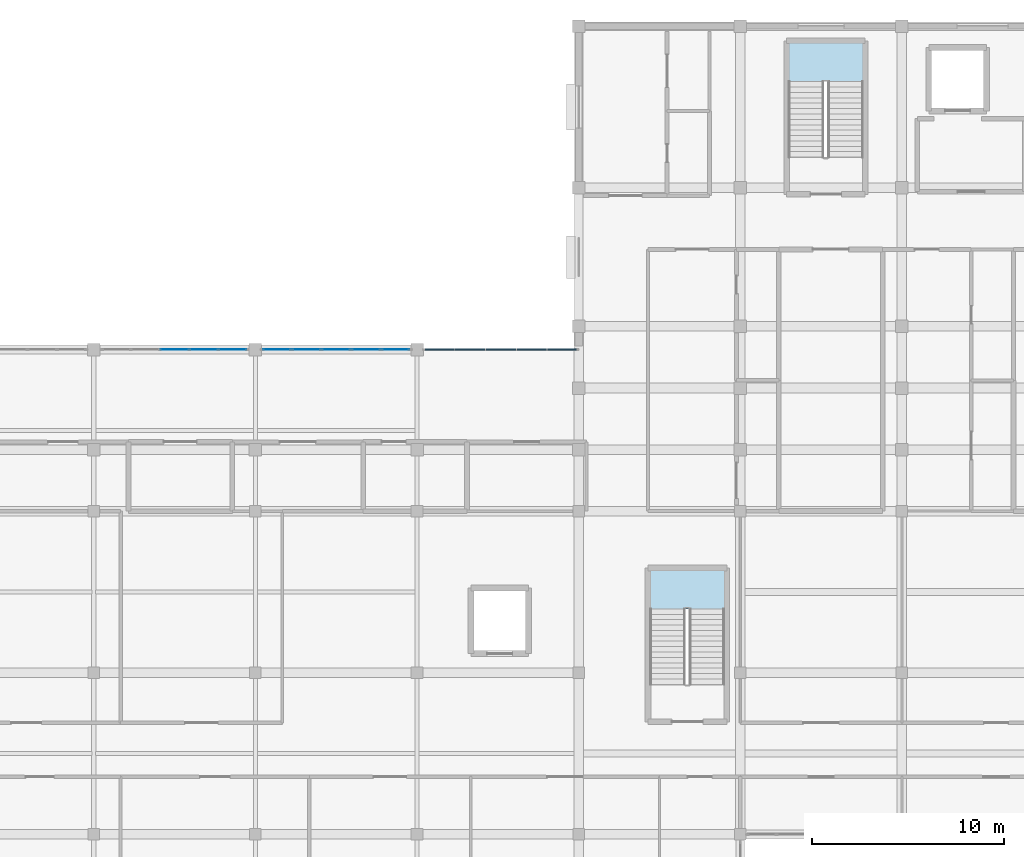
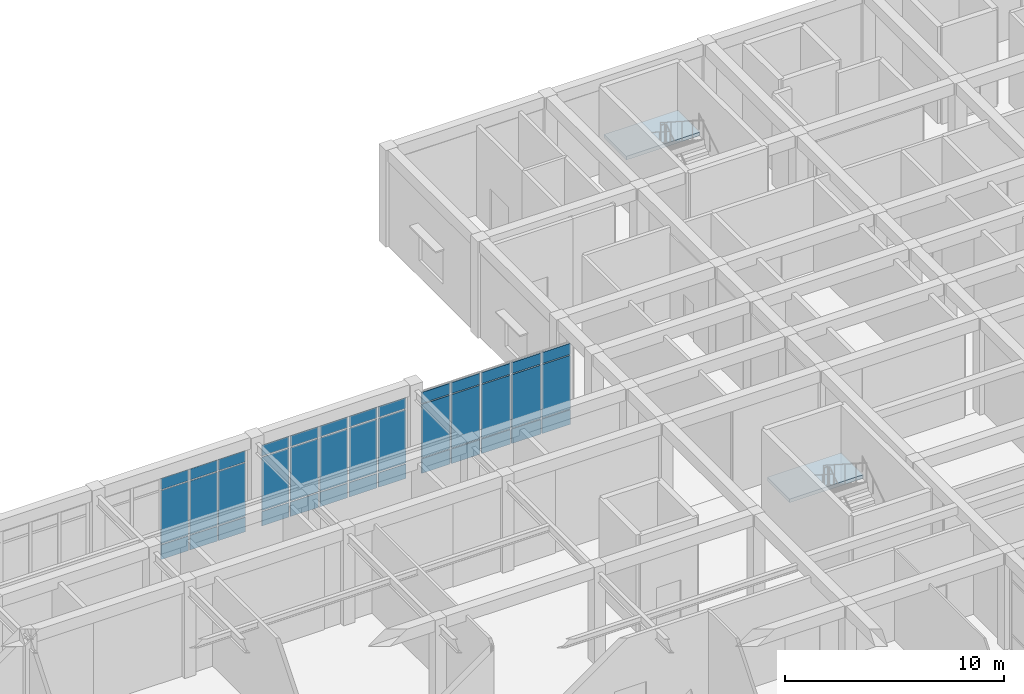
# One storey, part 48 of 89: 39 plates, 2 slabs, 5 elements without a shape of their own.
"""IFC4 building model written with IfcOpenShell, lengths in metres."""

from ifc_helpers import new_model, si_unit, direction, frame, origin, origin_2d, place, context, subcontext, project, spatial, polyline, rectangle, outline, extrude, material, layer, layer_set, type_object, element, aggregate, save


model = new_model("IFC4")

# Units and contexts
model_context = context("Model", 3, precision=1e-05, world=origin(), true_north=direction((0.0, 1.0)))
body_context = subcontext(model_context, "Body", "Model", "MODEL_VIEW")
ifc_project = project(units=[si_unit("LENGTHUNIT", "METRE"), si_unit("AREAUNIT", "SQUARE_METRE"), si_unit("VOLUMEUNIT", "CUBIC_METRE"), si_unit("PLANEANGLEUNIT", "RADIAN"), si_unit("MASSUNIT", "GRAM", prefix="KILO")], contexts=[model_context])

# Site, building, storey
site_placement = place(None, origin())
site = spatial("IfcSite", under=ifc_project, at=site_placement, CompositionType="ELEMENT")
building_placement = place(site_placement, origin())
building = spatial("IfcBuilding", under=site, at=building_placement, Name="Varncliffe General Hospital", CompositionType="ELEMENT")
storey_placement = place(building_placement, frame((0.0, 0.0, 10.800048828125)))
storey = spatial("IfcBuildingStorey", under=building, at=storey_placement, Name="L02", CompositionType="ELEMENT", Elevation=10.800048828125)

# Curtain wall, plates
ifc_material_1 = material(Name="Triple low-E argon insulated vision glazing", Category="glass")
curtain_wall_type_1 = type_object("IfcCurtainWallType", Name="Unitised Glazed Curtain Wall CW26 (7594x4640)", PredefinedType="USERDEFINED", material=ifc_material_1)
curtain_wall_1_placement = place(storey_placement, origin())
curtain_wall_1 = element("IfcCurtainWall", 1, at=curtain_wall_1_placement, inside=storey, type_object=curtain_wall_type_1, Name="L02 Glazed Curtain Wall CW26-113", ObjectType="GLAZED CURTAIN WALL", PredefinedType="USERDEFINED")
ifc_layer_1 = layer(ifc_material_1, 0.0439453125)
ifc_layer_set_1 = layer_set([ifc_layer_1], Name="Triple low-E argon insulated vision glazing")
plate_type_1 = type_object("IfcPlateType", Name="Curtain Wall Glazing Panel CP12 (44mm)", PredefinedType="CURTAIN_PANEL", material=ifc_layer_set_1)
plate_1_placement = place(storey_placement, frame((88.199951171875, 108.0, 0.059814453125), z_axis=(0.0, 0.0, 1.0), x_axis=(1.0, 0.0, 0.0)))
plate_1 = element("IfcPlate", 2, at=plate_1_placement, type_object=plate_type_1, Name="CW26 panel 3.1", PredefinedType="CURTAIN_PANEL", context=body_context, shape_type="SweptSolid", body=[
    extrude(rectangle(XDim=1.453857421875, YDim=0.0439453125, at=origin_2d()), origin(), (0.0, 0.0, 1.0), 0.81005859375),
])
plate_2_placement = place(storey_placement, frame((88.199951171875, 108.0, 0.929931640625), z_axis=(0.0, 0.0, 1.0), x_axis=(1.0, 0.0, 0.0)))
plate_2 = element("IfcPlate", 3, at=plate_2_placement, type_object=plate_type_1, Name="CW26 panel 3.2", PredefinedType="CURTAIN_PANEL", context=body_context, shape_type="SweptSolid", body=[
    extrude(rectangle(XDim=1.453857421875, YDim=0.0439453125, at=origin_2d()), origin(), (0.0, 0.0, 1.0), 2.97998046875),
])
plate_3_placement = place(storey_placement, frame((88.199951171875, 108.0, 3.9697265625), z_axis=(0.0, 0.0, 1.0), x_axis=(1.0, 0.0, 0.0)))
plate_3 = element("IfcPlate", 4, at=plate_3_placement, type_object=plate_type_1, Name="CW26 panel 3.3", PredefinedType="CURTAIN_PANEL", context=body_context, shape_type="SweptSolid", body=[
    extrude(rectangle(XDim=1.453857421875, YDim=0.0439453125, at=origin_2d()), origin(), (0.0, 0.0, 1.0), 0.610107421875),
])
plate_4_placement = place(storey_placement, frame((89.71875, 108.0, 0.059814453125), z_axis=(0.0, 0.0, 1.0), x_axis=(1.0, 0.0, 0.0)))
plate_4 = element("IfcPlate", 5, at=plate_4_placement, type_object=plate_type_1, Name="CW26 panel 4.1", PredefinedType="CURTAIN_PANEL", context=body_context, shape_type="SweptSolid", body=[
    extrude(rectangle(XDim=1.453857421875, YDim=0.0439453125, at=origin_2d()), origin(), (0.0, 0.0, 1.0), 0.81005859375),
])
plate_5_placement = place(storey_placement, frame((89.71875, 108.0, 0.929931640625), z_axis=(0.0, 0.0, 1.0), x_axis=(1.0, 0.0, 0.0)))
plate_5 = element("IfcPlate", 6, at=plate_5_placement, type_object=plate_type_1, Name="CW26 panel 4.2", PredefinedType="CURTAIN_PANEL", context=body_context, shape_type="SweptSolid", body=[
    extrude(rectangle(XDim=1.453857421875, YDim=0.0439453125, at=origin_2d()), origin(), (0.0, 0.0, 1.0), 2.97998046875),
])
plate_6_placement = place(storey_placement, frame((89.71875, 108.0, 3.9697265625), z_axis=(0.0, 0.0, 1.0), x_axis=(1.0, 0.0, 0.0)))
plate_6 = element("IfcPlate", 7, at=plate_6_placement, type_object=plate_type_1, Name="CW26 panel 4.3", PredefinedType="CURTAIN_PANEL", context=body_context, shape_type="SweptSolid", body=[
    extrude(rectangle(XDim=1.453857421875, YDim=0.0439453125, at=origin_2d()), origin(), (0.0, 0.0, 1.0), 0.610107421875),
])
plate_7_placement = place(storey_placement, frame((91.221435546875, 108.0, 0.059814453125), z_axis=(0.0, 0.0, 1.0), x_axis=(1.0, 0.0, 0.0)))
plate_7 = element("IfcPlate", 8, at=plate_7_placement, type_object=plate_type_1, Name="CW26 panel 5.1", PredefinedType="CURTAIN_PANEL", context=body_context, shape_type="SweptSolid", body=[
    extrude(rectangle(XDim=1.42138671875, YDim=0.0439453125, at=origin_2d()), origin(), (0.0, 0.0, 1.0), 0.81005859375),
])
plate_8_placement = place(storey_placement, frame((91.221435546875, 108.0, 0.929931640625), z_axis=(0.0, 0.0, 1.0), x_axis=(1.0, 0.0, 0.0)))
plate_8 = element("IfcPlate", 9, at=plate_8_placement, type_object=plate_type_1, Name="CW26 panel 5.2", PredefinedType="CURTAIN_PANEL", context=body_context, shape_type="SweptSolid", body=[
    extrude(rectangle(XDim=1.42138671875, YDim=0.0439453125, at=origin_2d()), origin(), (0.0, 0.0, 1.0), 2.97998046875),
])
plate_9_placement = place(storey_placement, frame((91.221435546875, 108.0, 3.9697265625), z_axis=(0.0, 0.0, 1.0), x_axis=(1.0, 0.0, 0.0)))
plate_9 = element("IfcPlate", 10, at=plate_9_placement, type_object=plate_type_1, Name="CW26 panel 5.3", PredefinedType="CURTAIN_PANEL", context=body_context, shape_type="SweptSolid", body=[
    extrude(rectangle(XDim=1.42138671875, YDim=0.0439453125, at=origin_2d()), origin(), (0.0, 0.0, 1.0), 0.610107421875),
])
aggregate(curtain_wall_1, [plate_1, plate_2, plate_3, plate_4, plate_5, plate_6, plate_7, plate_8, plate_9])

curtain_wall_type_2 = type_object("IfcCurtainWallType", Name="Unitised Glazed Curtain Wall CW65 (7997x4640)", PredefinedType="USERDEFINED", material=ifc_material_1)
curtain_wall_2_placement = place(storey_placement, origin())
curtain_wall_2 = element("IfcCurtainWall", 11, at=curtain_wall_2_placement, inside=storey, type_object=curtain_wall_type_2, Name="L02 Glazed Curtain Wall CW65-115", ObjectType="GLAZED CURTAIN WALL", PredefinedType="USERDEFINED")
ifc_material_2 = material(Name="Insulated ceramic-fritted spandrel glazing panel", Category="glass")
ifc_layer_2 = layer(ifc_material_2, 0.06396484375)
ifc_layer_set_2 = layer_set([ifc_layer_2], Name="Insulated ceramic-fritted spandrel glazing panel")
plate_type_2 = type_object("IfcPlateType", Name="Curtain Wall Glazing Panel CP41 (64mm)", PredefinedType="CURTAIN_PANEL", material=ifc_layer_set_2)
plate_10_placement = place(storey_placement, frame((101.9814453125, 108.0, 0.059814453125), z_axis=(0.0, 0.0, 1.0), x_axis=(1.0, 0.0, 0.0)))
plate_10 = element("IfcPlate", 12, at=plate_10_placement, type_object=plate_type_2, Name="CW65 panel 1.1", PredefinedType="CURTAIN_PANEL", context=body_context, shape_type="SweptSolid", body=[
    extrude(rectangle(XDim=1.48681640625, YDim=0.06396484375, at=origin_2d()), origin(), (0.0, 0.0, 1.0), 0.81005859375),
])
plate_11_placement = place(storey_placement, frame((101.9814453125, 108.0, 0.929931640625), z_axis=(0.0, 0.0, 1.0), x_axis=(1.0, 0.0, 0.0)))
plate_11 = element("IfcPlate", 13, at=plate_11_placement, type_object=plate_type_2, Name="CW65 panel 1.2", PredefinedType="CURTAIN_PANEL", context=body_context, shape_type="SweptSolid", body=[
    extrude(rectangle(XDim=1.48681640625, YDim=0.06396484375, at=origin_2d()), origin(), (0.0, 0.0, 1.0), 2.97998046875),
])
plate_12_placement = place(storey_placement, frame((101.9814453125, 108.0, 3.9697265625), z_axis=(0.0, 0.0, 1.0), x_axis=(1.0, 0.0, 0.0)))
plate_12 = element("IfcPlate", 14, at=plate_12_placement, type_object=plate_type_2, Name="CW65 panel 1.3", PredefinedType="CURTAIN_PANEL", context=body_context, shape_type="SweptSolid", body=[
    extrude(rectangle(XDim=1.48681640625, YDim=0.06396484375, at=origin_2d()), origin(), (0.0, 0.0, 1.0), 0.610107421875),
])
plate_13_placement = place(storey_placement, frame((103.56201171875, 108.0, 0.059814453125), z_axis=(0.0, 0.0, 1.0), x_axis=(1.0, 0.0, 0.0)))
plate_13 = element("IfcPlate", 15, at=plate_13_placement, type_object=plate_type_2, Name="CW65 panel 2.1", PredefinedType="CURTAIN_PANEL", context=body_context, shape_type="SweptSolid", body=[
    extrude(rectangle(XDim=1.5244140625, YDim=0.06396484375, at=origin_2d()), origin(), (0.0, 0.0, 1.0), 0.81005859375),
])
plate_14_placement = place(storey_placement, frame((103.56201171875, 108.0, 0.929931640625), z_axis=(0.0, 0.0, 1.0), x_axis=(1.0, 0.0, 0.0)))
plate_14 = element("IfcPlate", 16, at=plate_14_placement, type_object=plate_type_2, Name="CW65 panel 2.2", PredefinedType="CURTAIN_PANEL", context=body_context, shape_type="SweptSolid", body=[
    extrude(rectangle(XDim=1.5244140625, YDim=0.06396484375, at=origin_2d()), origin(), (0.0, 0.0, 1.0), 2.97998046875),
])
plate_15_placement = place(storey_placement, frame((103.56201171875, 108.0, 3.9697265625), z_axis=(0.0, 0.0, 1.0), x_axis=(1.0, 0.0, 0.0)))
plate_15 = element("IfcPlate", 17, at=plate_15_placement, type_object=plate_type_2, Name="CW65 panel 2.3", PredefinedType="CURTAIN_PANEL", context=body_context, shape_type="SweptSolid", body=[
    extrude(rectangle(XDim=1.5244140625, YDim=0.06396484375, at=origin_2d()), origin(), (0.0, 0.0, 1.0), 0.610107421875),
])
plate_16_placement = place(storey_placement, frame((105.16162109375, 108.0, 0.059814453125), z_axis=(0.0, 0.0, 1.0), x_axis=(1.0, 0.0, 0.0)))
plate_16 = element("IfcPlate", 18, at=plate_16_placement, type_object=plate_type_2, Name="CW65 panel 3.1", PredefinedType="CURTAIN_PANEL", context=body_context, shape_type="SweptSolid", body=[
    extrude(rectangle(XDim=1.5244140625, YDim=0.06396484375, at=origin_2d()), origin(), (0.0, 0.0, 1.0), 0.81005859375),
])
plate_17_placement = place(storey_placement, frame((105.16162109375, 108.0, 0.929931640625), z_axis=(0.0, 0.0, 1.0), x_axis=(1.0, 0.0, 0.0)))
plate_17 = element("IfcPlate", 19, at=plate_17_placement, type_object=plate_type_2, Name="CW65 panel 3.2", PredefinedType="CURTAIN_PANEL", context=body_context, shape_type="SweptSolid", body=[
    extrude(rectangle(XDim=1.5244140625, YDim=0.06396484375, at=origin_2d()), origin(), (0.0, 0.0, 1.0), 2.97998046875),
])
plate_18_placement = place(storey_placement, frame((105.16162109375, 108.0, 3.9697265625), z_axis=(0.0, 0.0, 1.0), x_axis=(1.0, 0.0, 0.0)))
plate_18 = element("IfcPlate", 20, at=plate_18_placement, type_object=plate_type_2, Name="CW65 panel 3.3", PredefinedType="CURTAIN_PANEL", context=body_context, shape_type="SweptSolid", body=[
    extrude(rectangle(XDim=1.5244140625, YDim=0.06396484375, at=origin_2d()), origin(), (0.0, 0.0, 1.0), 0.610107421875),
])
plate_19_placement = place(storey_placement, frame((106.760986328125, 108.0, 0.059814453125), z_axis=(0.0, 0.0, 1.0), x_axis=(1.0, 0.0, 0.0)))
plate_19 = element("IfcPlate", 21, at=plate_19_placement, type_object=plate_type_2, Name="CW65 panel 4.1", PredefinedType="CURTAIN_PANEL", context=body_context, shape_type="SweptSolid", body=[
    extrude(rectangle(XDim=1.5244140625, YDim=0.06396484375, at=origin_2d()), origin(), (0.0, 0.0, 1.0), 0.81005859375),
])
plate_20_placement = place(storey_placement, frame((106.760986328125, 108.0, 0.929931640625), z_axis=(0.0, 0.0, 1.0), x_axis=(1.0, 0.0, 0.0)))
plate_20 = element("IfcPlate", 22, at=plate_20_placement, type_object=plate_type_2, Name="CW65 panel 4.2", PredefinedType="CURTAIN_PANEL", context=body_context, shape_type="SweptSolid", body=[
    extrude(rectangle(XDim=1.5244140625, YDim=0.06396484375, at=origin_2d()), origin(), (0.0, 0.0, 1.0), 2.97998046875),
])
plate_21_placement = place(storey_placement, frame((106.760986328125, 108.0, 3.9697265625), z_axis=(0.0, 0.0, 1.0), x_axis=(1.0, 0.0, 0.0)))
plate_21 = element("IfcPlate", 23, at=plate_21_placement, type_object=plate_type_2, Name="CW65 panel 4.3", PredefinedType="CURTAIN_PANEL", context=body_context, shape_type="SweptSolid", body=[
    extrude(rectangle(XDim=1.5244140625, YDim=0.06396484375, at=origin_2d()), origin(), (0.0, 0.0, 1.0), 0.610107421875),
])
plate_22_placement = place(storey_placement, frame((108.341552734375, 108.0, 0.059814453125), z_axis=(0.0, 0.0, 1.0), x_axis=(1.0, 0.0, 0.0)))
plate_22 = element("IfcPlate", 24, at=plate_22_placement, type_object=plate_type_2, Name="CW65 panel 5.1", PredefinedType="CURTAIN_PANEL", context=body_context, shape_type="SweptSolid", body=[
    extrude(rectangle(XDim=1.48681640625, YDim=0.06396484375, at=origin_2d()), origin(), (0.0, 0.0, 1.0), 0.81005859375),
])
plate_23_placement = place(storey_placement, frame((108.341552734375, 108.0, 0.929931640625), z_axis=(0.0, 0.0, 1.0), x_axis=(1.0, 0.0, 0.0)))
plate_23 = element("IfcPlate", 25, at=plate_23_placement, type_object=plate_type_2, Name="CW65 panel 5.2", PredefinedType="CURTAIN_PANEL", context=body_context, shape_type="SweptSolid", body=[
    extrude(rectangle(XDim=1.48681640625, YDim=0.06396484375, at=origin_2d()), origin(), (0.0, 0.0, 1.0), 2.97998046875),
])
plate_24_placement = place(storey_placement, frame((108.341552734375, 108.0, 3.9697265625), z_axis=(0.0, 0.0, 1.0), x_axis=(1.0, 0.0, 0.0)))
plate_24 = element("IfcPlate", 26, at=plate_24_placement, type_object=plate_type_2, Name="CW65 panel 5.3", PredefinedType="CURTAIN_PANEL", context=body_context, shape_type="SweptSolid", body=[
    extrude(rectangle(XDim=1.48681640625, YDim=0.06396484375, at=origin_2d()), origin(), (0.0, 0.0, 1.0), 0.610107421875),
])
aggregate(curtain_wall_2, [plate_10, plate_11, plate_12, plate_13, plate_14, plate_15, plate_16, plate_17, plate_18, plate_19, plate_20, plate_21, plate_22, plate_23, plate_24])

curtain_wall_type_3 = type_object("IfcCurtainWallType", Name="Unitised Glazed Curtain Wall CW66 (7754x4640)", PredefinedType="USERDEFINED", material=ifc_material_1)
curtain_wall_3_placement = place(storey_placement, origin())
curtain_wall_3 = element("IfcCurtainWall", 27, at=curtain_wall_3_placement, inside=storey, type_object=curtain_wall_type_3, Name="L02 Glazed Curtain Wall CW66-114", ObjectType="GLAZED CURTAIN WALL", PredefinedType="USERDEFINED")
ifc_layer_3 = layer(ifc_material_1, 0.028076171875)
ifc_layer_set_3 = layer_set([ifc_layer_3], Name="Triple low-E argon insulated vision glazing")
plate_type_3 = type_object("IfcPlateType", Name="Curtain Wall Glazing Panel CP48 (28mm)", PredefinedType="CURTAIN_PANEL", material=ifc_layer_set_3)
plate_25_placement = place(storey_placement, frame((93.51708984375, 108.0, 0.06494140625), z_axis=(0.0, 0.0, 1.0), x_axis=(1.0, 0.0, 0.0)))
plate_25 = element("IfcPlate", 28, at=plate_25_placement, type_object=plate_type_3, Name="CW66 panel 1.1", PredefinedType="CURTAIN_PANEL", context=body_context, shape_type="SweptSolid", body=[
    extrude(rectangle(XDim=1.438232421875, YDim=0.028076171875, at=origin_2d()), origin(), (0.0, 0.0, 1.0), 0.802490234375),
])
plate_26_placement = place(storey_placement, frame((93.51708984375, 108.0, 0.932373046875), z_axis=(0.0, 0.0, 1.0), x_axis=(1.0, 0.0, 0.0)))
plate_26 = element("IfcPlate", 29, at=plate_26_placement, type_object=plate_type_3, Name="CW66 panel 1.2", PredefinedType="CURTAIN_PANEL", context=body_context, shape_type="SweptSolid", body=[
    extrude(rectangle(XDim=1.438232421875, YDim=0.028076171875, at=origin_2d()), origin(), (0.0, 0.0, 1.0), 2.97509765625),
])
plate_27_placement = place(storey_placement, frame((93.51708984375, 108.0, 3.972412109375), z_axis=(0.0, 0.0, 1.0), x_axis=(1.0, 0.0, 0.0)))
plate_27 = element("IfcPlate", 30, at=plate_27_placement, type_object=plate_type_3, Name="CW66 panel 1.3", PredefinedType="CURTAIN_PANEL", context=body_context, shape_type="SweptSolid", body=[
    extrude(rectangle(XDim=1.438232421875, YDim=0.028076171875, at=origin_2d()), origin(), (0.0, 0.0, 1.0), 0.6025390625),
])
plate_28_placement = place(storey_placement, frame((95.04931640625, 108.0, 0.06494140625), z_axis=(0.0, 0.0, 1.0), x_axis=(1.0, 0.0, 0.0)))
plate_28 = element("IfcPlate", 31, at=plate_28_placement, type_object=plate_type_3, Name="CW66 panel 2.1", PredefinedType="CURTAIN_PANEL", context=body_context, shape_type="SweptSolid", body=[
    extrude(rectangle(XDim=1.475830078125, YDim=0.028076171875, at=origin_2d()), origin(), (0.0, 0.0, 1.0), 0.802490234375),
])
plate_29_placement = place(storey_placement, frame((95.04931640625, 108.0, 0.932373046875), z_axis=(0.0, 0.0, 1.0), x_axis=(1.0, 0.0, 0.0)))
plate_29 = element("IfcPlate", 32, at=plate_29_placement, type_object=plate_type_3, Name="CW66 panel 2.2", PredefinedType="CURTAIN_PANEL", context=body_context, shape_type="SweptSolid", body=[
    extrude(rectangle(XDim=1.475830078125, YDim=0.028076171875, at=origin_2d()), origin(), (0.0, 0.0, 1.0), 2.97509765625),
])
plate_30_placement = place(storey_placement, frame((95.04931640625, 108.0, 3.972412109375), z_axis=(0.0, 0.0, 1.0), x_axis=(1.0, 0.0, 0.0)))
plate_30 = element("IfcPlate", 33, at=plate_30_placement, type_object=plate_type_3, Name="CW66 panel 2.3", PredefinedType="CURTAIN_PANEL", context=body_context, shape_type="SweptSolid", body=[
    extrude(rectangle(XDim=1.475830078125, YDim=0.028076171875, at=origin_2d()), origin(), (0.0, 0.0, 1.0), 0.6025390625),
])
plate_31_placement = place(storey_placement, frame((96.60009765625, 108.0, 0.06494140625), z_axis=(0.0, 0.0, 1.0), x_axis=(1.0, 0.0, 0.0)))
plate_31 = element("IfcPlate", 34, at=plate_31_placement, type_object=plate_type_3, Name="CW66 panel 3.1", PredefinedType="CURTAIN_PANEL", context=body_context, shape_type="SweptSolid", body=[
    extrude(rectangle(XDim=1.475830078125, YDim=0.028076171875, at=origin_2d()), origin(), (0.0, 0.0, 1.0), 0.802490234375),
])
plate_32_placement = place(storey_placement, frame((96.60009765625, 108.0, 0.932373046875), z_axis=(0.0, 0.0, 1.0), x_axis=(1.0, 0.0, 0.0)))
plate_32 = element("IfcPlate", 35, at=plate_32_placement, type_object=plate_type_3, Name="CW66 panel 3.2", PredefinedType="CURTAIN_PANEL", context=body_context, shape_type="SweptSolid", body=[
    extrude(rectangle(XDim=1.475830078125, YDim=0.028076171875, at=origin_2d()), origin(), (0.0, 0.0, 1.0), 2.97509765625),
])
plate_33_placement = place(storey_placement, frame((96.60009765625, 108.0, 3.972412109375), z_axis=(0.0, 0.0, 1.0), x_axis=(1.0, 0.0, 0.0)))
plate_33 = element("IfcPlate", 36, at=plate_33_placement, type_object=plate_type_3, Name="CW66 panel 3.3", PredefinedType="CURTAIN_PANEL", context=body_context, shape_type="SweptSolid", body=[
    extrude(rectangle(XDim=1.475830078125, YDim=0.028076171875, at=origin_2d()), origin(), (0.0, 0.0, 1.0), 0.6025390625),
])
plate_34_placement = place(storey_placement, frame((98.15087890625, 108.0, 0.06494140625), z_axis=(0.0, 0.0, 1.0), x_axis=(1.0, 0.0, 0.0)))
plate_34 = element("IfcPlate", 37, at=plate_34_placement, type_object=plate_type_3, Name="CW66 panel 4.1", PredefinedType="CURTAIN_PANEL", context=body_context, shape_type="SweptSolid", body=[
    extrude(rectangle(XDim=1.475830078125, YDim=0.028076171875, at=origin_2d()), origin(), (0.0, 0.0, 1.0), 0.802490234375),
])
plate_35_placement = place(storey_placement, frame((98.15087890625, 108.0, 0.932373046875), z_axis=(0.0, 0.0, 1.0), x_axis=(1.0, 0.0, 0.0)))
plate_35 = element("IfcPlate", 38, at=plate_35_placement, type_object=plate_type_3, Name="CW66 panel 4.2", PredefinedType="CURTAIN_PANEL", context=body_context, shape_type="SweptSolid", body=[
    extrude(rectangle(XDim=1.475830078125, YDim=0.028076171875, at=origin_2d()), origin(), (0.0, 0.0, 1.0), 2.97509765625),
])
plate_36_placement = place(storey_placement, frame((98.15087890625, 108.0, 3.972412109375), z_axis=(0.0, 0.0, 1.0), x_axis=(1.0, 0.0, 0.0)))
plate_36 = element("IfcPlate", 39, at=plate_36_placement, type_object=plate_type_3, Name="CW66 panel 4.3", PredefinedType="CURTAIN_PANEL", context=body_context, shape_type="SweptSolid", body=[
    extrude(rectangle(XDim=1.475830078125, YDim=0.028076171875, at=origin_2d()), origin(), (0.0, 0.0, 1.0), 0.6025390625),
])
plate_37_placement = place(storey_placement, frame((99.682861328125, 108.0, 0.06494140625), z_axis=(0.0, 0.0, 1.0), x_axis=(1.0, 0.0, 0.0)))
plate_37 = element("IfcPlate", 40, at=plate_37_placement, type_object=plate_type_3, Name="CW66 panel 5.1", PredefinedType="CURTAIN_PANEL", context=body_context, shape_type="SweptSolid", body=[
    extrude(rectangle(XDim=1.438232421875, YDim=0.028076171875, at=origin_2d()), origin(), (0.0, 0.0, 1.0), 0.802490234375),
])
plate_38_placement = place(storey_placement, frame((99.682861328125, 108.0, 0.932373046875), z_axis=(0.0, 0.0, 1.0), x_axis=(1.0, 0.0, 0.0)))
plate_38 = element("IfcPlate", 41, at=plate_38_placement, type_object=plate_type_3, Name="CW66 panel 5.2", PredefinedType="CURTAIN_PANEL", context=body_context, shape_type="SweptSolid", body=[
    extrude(rectangle(XDim=1.438232421875, YDim=0.028076171875, at=origin_2d()), origin(), (0.0, 0.0, 1.0), 2.97509765625),
])
plate_39_placement = place(storey_placement, frame((99.682861328125, 108.0, 3.972412109375), z_axis=(0.0, 0.0, 1.0), x_axis=(1.0, 0.0, 0.0)))
plate_39 = element("IfcPlate", 42, at=plate_39_placement, type_object=plate_type_3, Name="CW66 panel 5.3", PredefinedType="CURTAIN_PANEL", context=body_context, shape_type="SweptSolid", body=[
    extrude(rectangle(XDim=1.438232421875, YDim=0.028076171875, at=origin_2d()), origin(), (0.0, 0.0, 1.0), 0.6025390625),
])
aggregate(curtain_wall_3, [plate_25, plate_26, plate_27, plate_28, plate_29, plate_30, plate_31, plate_32, plate_33, plate_34, plate_35, plate_36, plate_37, plate_38, plate_39])

# Stair, slab
ifc_material_3 = material(Name="Concrete C35/45 (CSA A23.1 35 MPa)", Category="concrete")
stair_type = type_object("IfcStairType", Name="Hospital Stair Assembly ST-T02 (1850w-5400h)", PredefinedType="TWO_STRAIGHT_RUN_STAIR", material=ifc_material_3)
stair_1_placement = place(storey_placement, origin())
stair_1 = element("IfcStair", 43, at=stair_1_placement, inside=storey, type_object=stair_type, Name="L02 North-East Ward Exit Stair 3", PredefinedType="TWO_STRAIGHT_RUN_STAIR")
ifc_layer_4 = layer(ifc_material_3, 0.199951171875)
ifc_layer_set_4 = layer_set([ifc_layer_4], Name="Concrete C35/45 (CSA A23.1 35 MPa)")
slab_type = type_object("IfcSlabType", Name="Reinforced Concrete Stair Landing LND50 (200mm)", PredefinedType="LANDING", material=ifc_layer_set_4)
slab_1_placement = place(storey_placement, frame((0.0, 0.0, 2.5)))
slab_1 = element("IfcSlab", 44, at=slab_1_placement, type_object=slab_type, Name="ST03 landing 1", PredefinedType="LANDING", context=body_context, shape_type="SweptSolid", body=[
    extrude(outline(polyline([(124.0, 121.919921875), (124.0, 123.949951171875), (120.10009765625, 123.949951171875), (120.10009765625, 121.919921875), (124.0, 121.919921875)])), origin(), (0.0, 0.0, 1.0), 0.199951171875),
])
aggregate(stair_1, [slab_1])

stair_2_placement = place(storey_placement, origin())
stair_2 = element("IfcStair", 45, at=stair_2_placement, inside=storey, type_object=stair_type, Name="L02 Surgical and Helipad Exit Stair 6", PredefinedType="TWO_STRAIGHT_RUN_STAIR")
slab_2_placement = place(storey_placement, frame((0.0, 0.0, 2.5)))
slab_2 = element("IfcSlab", 46, at=slab_2_placement, type_object=slab_type, Name="ST06 landing 1", PredefinedType="LANDING", context=body_context, shape_type="SweptSolid", body=[
    extrude(outline(polyline([(116.800048828125, 94.52001953125), (116.800048828125, 96.550048828125), (112.89990234375, 96.550048828125), (112.89990234375, 94.52001953125), (116.800048828125, 94.52001953125)])), origin(), (0.0, 0.0, 1.0), 0.199951171875),
])
aggregate(stair_2, [slab_2])

save(model, "model.ifc")
